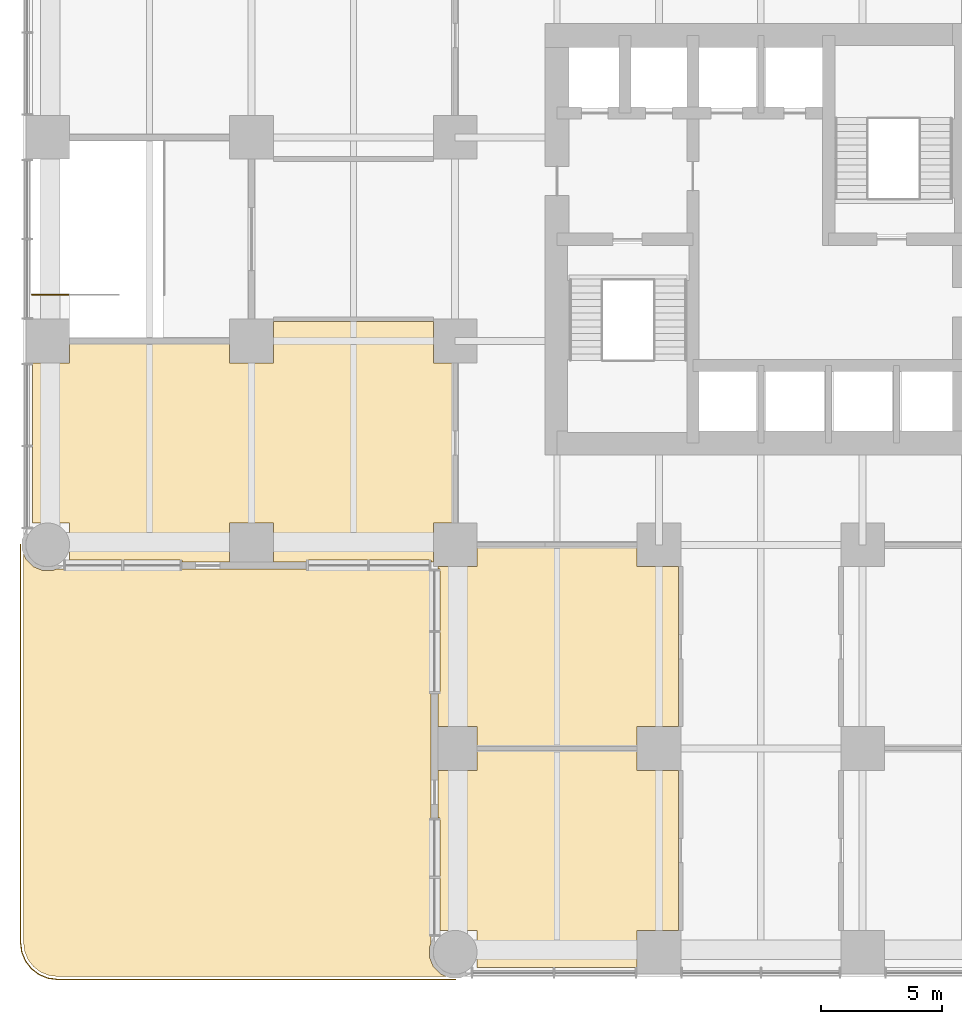
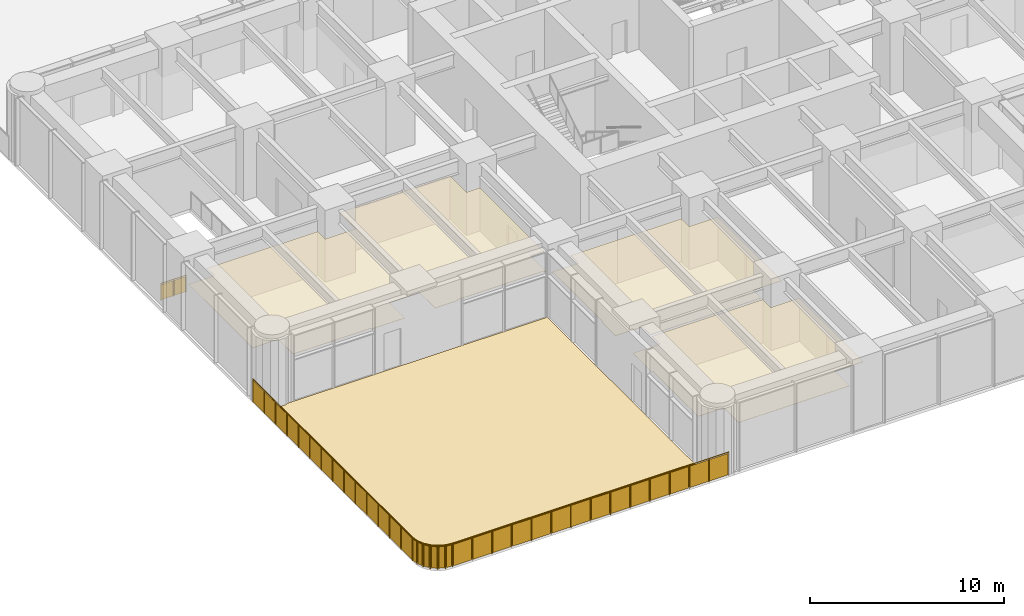
# One storey, part 14 of 21: 4 coverings, 2 railings.
"""IFC4 building model written with IfcOpenShell, lengths in metres."""

from ifc_helpers import new_model, si_unit, direction, frame, origin, origin_2d, place, context, subcontext, project, spatial, polyline, circle, outline, extrude, material, layer, layer_set, constituent, constituent_set, type_object, element, save


model = new_model("IFC4")

# Units and contexts
model_context = context("Model", 3, precision=1e-05, world=origin(), true_north=direction((0.0, 1.0)))
body_context = subcontext(model_context, "Body", "Model", "MODEL_VIEW")
ifc_project = project(units=[si_unit("LENGTHUNIT", "METRE"), si_unit("AREAUNIT", "SQUARE_METRE"), si_unit("VOLUMEUNIT", "CUBIC_METRE"), si_unit("PLANEANGLEUNIT", "RADIAN"), si_unit("MASSUNIT", "GRAM", prefix="KILO")], contexts=[model_context])

# Site, building, storey
site_placement = place(None, origin())
site = spatial("IfcSite", under=ifc_project, at=site_placement, CompositionType="ELEMENT")
building_placement = place(site_placement, origin())
building = spatial("IfcBuilding", under=site, at=building_placement, Name="Torre Alcanfor", CompositionType="ELEMENT")
storey_placement = place(building_placement, frame((0.0, 0.0, 24.0)))
storey = spatial("IfcBuildingStorey", under=building, at=storey_placement, Name="L05", CompositionType="ELEMENT", Elevation=24.0)

# Coverings
ifc_material_1 = material(Name="Mineral fibre acoustic tile 20 mm, NRC 0.70, on exposed suspension grid", Category="mineral fibre")
ifc_layer_1 = layer(ifc_material_1, 0.02001953125)
ifc_layer_set_1 = layer_set([ifc_layer_1], Name="Acoustic suspended ceiling 600x600 mineral fibre tile")
covering_type_1 = type_object("IfcCoveringType", Name="Acoustic suspended ceiling 600x600 mineral fibre tile", PredefinedType="CEILING", material=ifc_layer_set_1)
covering_1_placement = place(storey_placement, frame((0.0, 0.0, 2.699951171875)))
element("IfcCovering", 1, at=covering_1_placement, inside=storey, type_object=covering_type_1, Name="Ceiling L05-01", PredefinedType="CEILING", context=body_context, shape_type="SweptSolid", body=[
    extrude(outline(polyline([(16.175048828125, 0.89990234375), (17.699951171875, 0.89990234375), (17.699951171875, -0.625), (24.300048828125, -0.625), (24.300048828125, 0.89990234375), (26.0, 0.89990234375), (26.0, 7.5), (24.300048828125, 7.5), (24.300048828125, 8.324951171875), (17.699951171875, 8.324951171875), (17.699951171875, 7.5), (16.10009765625, 7.5), (16.10009765625, 5.533203125), (16.175048828125, 5.533203125), (16.175048828125, 0.89990234375)])), origin(), (0.0, 0.0, 1.0), 0.02001953125),
])
covering_2_placement = place(storey_placement, frame((0.0, 0.0, 2.699951171875)))
element("IfcCovering", 2, at=covering_2_placement, inside=storey, type_object=covering_type_1, Name="Ceiling L05-03", PredefinedType="CEILING", context=body_context, shape_type="SweptSolid", body=[
    extrude(outline(polyline([(26.0, 15.89990234375), (24.300048828125, 15.89990234375), (24.300048828125, 16.699951171875), (17.699951171875, 16.699951171875), (17.699951171875, 15.89990234375), (16.10009765625, 15.89990234375), (16.10009765625, 15.800048828125), (16.175048828125, 15.800048828125), (16.175048828125, 10.666748046875), (16.10009765625, 10.666748046875), (16.10009765625, 9.300048828125), (17.699951171875, 9.300048828125), (17.699951171875, 8.47509765625), (24.300048828125, 8.47509765625), (24.300048828125, 9.300048828125), (26.0, 9.300048828125), (26.0, 15.89990234375)])), origin(), (0.0, 0.0, 1.0), 0.02001953125),
])
covering_3_placement = place(storey_placement, frame((0.0, 0.0, 2.699951171875)))
element("IfcCovering", 3, at=covering_3_placement, inside=storey, type_object=covering_type_1, Name="Ceiling L05-05", PredefinedType="CEILING", context=body_context, shape_type="SweptSolid", body=[
    extrude(outline(polyline([(15.800048828125, 16.175048828125), (15.800048828125, 16.10009765625), (15.89990234375, 16.10009765625), (15.89990234375, 17.699951171875), (16.699951171875, 17.699951171875), (16.699951171875, 24.300048828125), (15.89990234375, 24.300048828125), (15.89990234375, 26.0), (9.300048828125, 26.0), (9.300048828125, 24.300048828125), (7.5, 24.300048828125), (7.5, 25.074951171875), (0.89990234375, 25.074951171875), (0.89990234375, 24.300048828125), (-0.625, 24.300048828125), (-0.625, 17.699951171875), (0.89990234375, 17.699951171875), (0.89990234375, 16.175048828125), (5.533203125, 16.175048828125), (5.533203125, 16.10009765625), (7.5, 16.10009765625), (7.5, 17.699951171875), (9.300048828125, 17.699951171875), (9.300048828125, 16.10009765625), (10.666748046875, 16.10009765625), (10.666748046875, 16.175048828125), (15.800048828125, 16.175048828125)])), origin(), (0.0, 0.0, 1.0), 0.02001953125),
])

# Railing
ifc_material_2 = material(Name="Steel ASTM A500 Grade C hollow sections, hot-dip galvanised ASTM A123", Category="steel")
ifc_constituent_1 = constituent(ifc_material_2, Name="Posts and rails")
ifc_material_3 = material(Name="Laminated safety glass", Category="glass")
ifc_constituent_2 = constituent(ifc_material_3, Name="Infill")
ifc_constituent_set = constituent_set(constituents=[ifc_constituent_1, ifc_constituent_2], Name="Play deck guard 1500")
railing_type_1 = type_object("IfcRailingType", Name="Play deck guard 1500", PredefinedType="BALUSTRADE", material=ifc_constituent_set)
railing_1_placement = place(storey_placement, frame((-1.1201171875, 16.82275390625, 0.0)))
element("IfcRailing", 4, at=railing_1_placement, inside=storey, type_object=railing_type_1, Name="Play deck guard L05 1", PredefinedType="BALUSTRADE", context=body_context, shape_type="SweptSolid", body=[
    extrude(circle(Radius=0.02392578125, at=origin_2d()), frame((0.0, 0.0, 1.47607421875), z_axis=(0.0, -1.0, 0.0), x_axis=(1.0, 0.0, 0.0)), (0.0, 0.0, 1.0), 16.4228515625),
    extrude(circle(Radius=0.02392578125, at=origin_2d()), frame((0.0, -16.4228515625, 1.47607421875), z_axis=(0.077887667293, -0.996962141349, 0.0), x_axis=(0.996962141349, 0.077887667293, 0.0)), (0.0, 0.0, 1.0), 0.015625),
    extrude(circle(Radius=0.02392578125, at=origin_2d()), frame((0.001220703125, -16.4384765625, 1.47607421875), z_axis=(0.130281684003, -0.99147702082, 0.0), x_axis=(0.99147702082, 0.130281684003, 0.0)), (0.0, 0.0, 1.0), 0.365478515625),
    extrude(circle(Radius=0.02392578125, at=origin_2d()), frame((0.048828125, -16.80078125, 1.47607421875), z_axis=(0.18711210789, -0.982338566422, 0.0), x_axis=(0.982338566422, 0.18711210789, 0.0)), (0.0, 0.0, 1.0), 0.010498046875),
    extrude(circle(Radius=0.02392578125, at=origin_2d()), frame((0.05078125, -16.81103515625, 1.47607421875), z_axis=(0.259128566087, -0.965842837235, 0.0), x_axis=(0.965842837235, 0.259128566087, 0.0)), (0.0, 0.0, 1.0), 0.01025390625),
    extrude(circle(Radius=0.02392578125, at=origin_2d()), frame((0.053466796875, -16.821044921875, 1.47607421875), z_axis=(0.323143853292, -0.946349856068, 0.0), x_axis=(0.946349856068, 0.323143853292, 0.0)), (0.0, 0.0, 1.0), 0.010498046875),
    extrude(circle(Radius=0.02392578125, at=origin_2d()), frame((0.056884765625, -16.8310546875, 1.47607421875), z_axis=(0.382764762462, -0.923845840288, 0.0), x_axis=(0.923845840288, 0.382764762462, 0.0)), (0.0, 0.0, 1.0), 0.365478515625),
    extrude(circle(Radius=0.02392578125, at=origin_2d()), frame((0.19677734375, -17.168701171875, 1.47607421875), z_axis=(0.419058177462, -0.9079593845, 0.0), x_axis=(0.9079593845, 0.419058177462, 0.0)), (0.0, 0.0, 1.0), 0.010498046875),
    extrude(circle(Radius=0.02392578125, at=origin_2d()), frame((0.201171875, -17.17822265625, 1.47607421875), z_axis=(0.511075392877, -0.859535888021, 0.0), x_axis=(0.859535888021, 0.511075392877, 0.0)), (0.0, 0.0, 1.0), 0.010498046875),
    extrude(circle(Radius=0.02392578125, at=origin_2d()), frame((0.20654296875, -17.187255859375, 1.47607421875), z_axis=(0.565528355552, -0.824728851846, 0.0), x_axis=(0.824728851846, 0.565528355552, 0.0)), (0.0, 0.0, 1.0), 0.01025390625),
    extrude(circle(Radius=0.02392578125, at=origin_2d()), frame((0.21240234375, -17.19580078125, 1.47607421875), z_axis=(0.609258674669, -0.792971542579, 0.0), x_axis=(0.792971542579, 0.609258674669, 0.0)), (0.0, 0.0, 1.0), 0.365478515625),
    extrude(circle(Radius=0.02392578125, at=origin_2d()), frame((0.43505859375, -17.485595703125, 1.47607421875), z_axis=(0.633237790257, -0.773957299203, 0.0), x_axis=(0.773957299203, 0.633237790257, 0.0)), (0.0, 0.0, 1.0), 0.010498046875),
    extrude(circle(Radius=0.02392578125, at=origin_2d()), frame((0.441650390625, -17.49365234375, 1.47607421875), z_axis=(0.707106781187, -0.707106781187, 0.0), x_axis=(0.707106781187, 0.707106781187, 0.0)), (0.0, 0.0, 1.0), 0.0107421875),
    extrude(circle(Radius=0.02392578125, at=origin_2d()), frame((0.44921875, -17.501220703125, 1.47607421875), z_axis=(0.773957299203, -0.633237790257, 0.0), x_axis=(0.633237790257, 0.773957299203, 0.0)), (0.0, 0.0, 1.0), 0.010498046875),
    extrude(circle(Radius=0.02392578125, at=origin_2d()), frame((0.457275390625, -17.5078125, 1.47607421875), z_axis=(0.792971542579, -0.609258674669, 0.0), x_axis=(0.609258674669, 0.792971542579, 0.0)), (0.0, 0.0, 1.0), 0.365478515625),
    extrude(circle(Radius=0.02392578125, at=origin_2d()), frame((0.7470703125, -17.73046875, 1.47607421875), z_axis=(0.824728851846, -0.565528355552, 0.0), x_axis=(0.565528355552, 0.824728851846, 0.0)), (0.0, 0.0, 1.0), 0.01025390625),
    extrude(circle(Radius=0.02392578125, at=origin_2d()), frame((0.755615234375, -17.736328125, 1.47607421875), z_axis=(0.859535888021, -0.511075392877, 0.0), x_axis=(0.511075392877, 0.859535888021, 0.0)), (0.0, 0.0, 1.0), 0.010498046875),
    extrude(circle(Radius=0.02392578125, at=origin_2d()), frame((0.7646484375, -17.74169921875, 1.47607421875), z_axis=(0.9079593845, -0.419058177462, 0.0), x_axis=(0.419058177462, 0.9079593845, 0.0)), (0.0, 0.0, 1.0), 0.010498046875),
    extrude(circle(Radius=0.02392578125, at=origin_2d()), frame((0.774169921875, -17.74609375, 1.47607421875), z_axis=(0.923845840288, -0.382764762462, 0.0), x_axis=(0.382764762462, 0.923845840288, 0.0)), (0.0, 0.0, 1.0), 0.365478515625),
    extrude(circle(Radius=0.02392578125, at=origin_2d()), frame((1.11181640625, -17.885986328125, 1.47607421875), z_axis=(0.946349856068, -0.323143853292, 0.0), x_axis=(0.323143853292, 0.946349856068, 0.0)), (0.0, 0.0, 1.0), 0.010498046875),
    extrude(circle(Radius=0.02392578125, at=origin_2d()), frame((1.121826171875, -17.889404296875, 1.47607421875), z_axis=(0.965842837235, -0.259128566087, 0.0), x_axis=(0.259128566087, 0.965842837235, 0.0)), (0.0, 0.0, 1.0), 0.01025390625),
    extrude(circle(Radius=0.02392578125, at=origin_2d()), frame((1.1318359375, -17.89208984375, 1.47607421875), z_axis=(0.982338566422, -0.18711210789, 0.0), x_axis=(0.18711210789, 0.982338566422, 0.0)), (0.0, 0.0, 1.0), 0.010498046875),
    extrude(circle(Radius=0.02392578125, at=origin_2d()), frame((1.14208984375, -17.89404296875, 1.47607421875), z_axis=(0.99147702082, -0.130281684003, 0.0), x_axis=(0.130281684003, 0.99147702082, 0.0)), (0.0, 0.0, 1.0), 0.365478515625),
    extrude(circle(Radius=0.02392578125, at=origin_2d()), frame((1.50439453125, -17.941650390625, 1.47607421875), z_axis=(0.996962141349, -0.077887667293, 0.0), x_axis=(0.077887667293, 0.996962141349, 0.0)), (0.0, 0.0, 1.0), 0.015625),
    extrude(circle(Radius=0.02392578125, at=origin_2d()), frame((1.52001953125, -17.94287109375, 1.47607421875), z_axis=(1.0, 0.0, 0.0), x_axis=(0.0, 1.0, 0.0)), (0.0, 0.0, 1.0), 16.4228515625),
    extrude(circle(Radius=0.02099609375, at=origin_2d()), origin(), (0.0, 0.0, 1.0), 1.451904296875),
    extrude(circle(Radius=0.02099609375, at=origin_2d()), frame((0.0, -1.173095703125, 0.0)), (0.0, 0.0, 1.0), 1.451904296875),
    extrude(circle(Radius=0.02099609375, at=origin_2d()), frame((0.0, -2.34619140625, 0.0)), (0.0, 0.0, 1.0), 1.451904296875),
    extrude(circle(Radius=0.02099609375, at=origin_2d()), frame((0.0, -3.519287109375, 0.0)), (0.0, 0.0, 1.0), 1.451904296875),
    extrude(circle(Radius=0.02099609375, at=origin_2d()), frame((0.0, -4.692138671875, 0.0)), (0.0, 0.0, 1.0), 1.451904296875),
    extrude(circle(Radius=0.02099609375, at=origin_2d()), frame((0.0, -5.865234375, 0.0)), (0.0, 0.0, 1.0), 1.451904296875),
    extrude(circle(Radius=0.02099609375, at=origin_2d()), frame((0.0, -7.038330078125, 0.0)), (0.0, 0.0, 1.0), 1.451904296875),
    extrude(circle(Radius=0.02099609375, at=origin_2d()), frame((0.0, -8.21142578125, 0.0)), (0.0, 0.0, 1.0), 1.451904296875),
    extrude(circle(Radius=0.02099609375, at=origin_2d()), frame((0.0, -9.384521484375, 0.0)), (0.0, 0.0, 1.0), 1.451904296875),
    extrude(circle(Radius=0.02099609375, at=origin_2d()), frame((0.0, -10.5576171875, 0.0)), (0.0, 0.0, 1.0), 1.451904296875),
    extrude(circle(Radius=0.02099609375, at=origin_2d()), frame((0.0, -11.730712890625, 0.0)), (0.0, 0.0, 1.0), 1.451904296875),
    extrude(circle(Radius=0.02099609375, at=origin_2d()), frame((0.0, -12.903564453125, 0.0)), (0.0, 0.0, 1.0), 1.451904296875),
    extrude(circle(Radius=0.02099609375, at=origin_2d()), frame((0.0, -14.07666015625, 0.0)), (0.0, 0.0, 1.0), 1.451904296875),
    extrude(circle(Radius=0.02099609375, at=origin_2d()), frame((0.0, -15.249755859375, 0.0)), (0.0, 0.0, 1.0), 1.451904296875),
    extrude(circle(Radius=0.02099609375, at=origin_2d()), frame((0.0, -16.4228515625, 0.0)), (0.0, 0.0, 1.0), 1.451904296875),
    extrude(circle(Radius=0.02099609375, at=origin_2d()), frame((0.001220703125, -16.4384765625, 0.0)), (0.0, 0.0, 1.0), 1.451904296875),
    extrude(circle(Radius=0.02099609375, at=origin_2d()), frame((0.048828125, -16.80078125, 0.0)), (0.0, 0.0, 1.0), 1.451904296875),
    extrude(circle(Radius=0.02099609375, at=origin_2d()), frame((0.05078125, -16.81103515625, 0.0)), (0.0, 0.0, 1.0), 1.451904296875),
    extrude(circle(Radius=0.02099609375, at=origin_2d()), frame((0.053466796875, -16.821044921875, 0.0)), (0.0, 0.0, 1.0), 1.451904296875),
    extrude(circle(Radius=0.02099609375, at=origin_2d()), frame((0.056884765625, -16.8310546875, 0.0)), (0.0, 0.0, 1.0), 1.451904296875),
    extrude(circle(Radius=0.02099609375, at=origin_2d()), frame((0.19677734375, -17.168701171875, 0.0)), (0.0, 0.0, 1.0), 1.451904296875),
    extrude(circle(Radius=0.02099609375, at=origin_2d()), frame((0.201171875, -17.17822265625, 0.0)), (0.0, 0.0, 1.0), 1.451904296875),
    extrude(circle(Radius=0.02099609375, at=origin_2d()), frame((0.20654296875, -17.187255859375, 0.0)), (0.0, 0.0, 1.0), 1.451904296875),
    extrude(circle(Radius=0.02099609375, at=origin_2d()), frame((0.21240234375, -17.19580078125, 0.0)), (0.0, 0.0, 1.0), 1.451904296875),
    extrude(circle(Radius=0.02099609375, at=origin_2d()), frame((0.43505859375, -17.485595703125, 0.0)), (0.0, 0.0, 1.0), 1.451904296875),
    extrude(circle(Radius=0.02099609375, at=origin_2d()), frame((0.441650390625, -17.49365234375, 0.0)), (0.0, 0.0, 1.0), 1.451904296875),
    extrude(circle(Radius=0.02099609375, at=origin_2d()), frame((0.44921875, -17.501220703125, 0.0)), (0.0, 0.0, 1.0), 1.451904296875),
    extrude(circle(Radius=0.02099609375, at=origin_2d()), frame((0.457275390625, -17.5078125, 0.0)), (0.0, 0.0, 1.0), 1.451904296875),
    extrude(circle(Radius=0.02099609375, at=origin_2d()), frame((0.7470703125, -17.73046875, 0.0)), (0.0, 0.0, 1.0), 1.451904296875),
    extrude(circle(Radius=0.02099609375, at=origin_2d()), frame((0.755615234375, -17.736328125, 0.0)), (0.0, 0.0, 1.0), 1.451904296875),
    extrude(circle(Radius=0.02099609375, at=origin_2d()), frame((0.7646484375, -17.74169921875, 0.0)), (0.0, 0.0, 1.0), 1.451904296875),
    extrude(circle(Radius=0.02099609375, at=origin_2d()), frame((0.774169921875, -17.74609375, 0.0)), (0.0, 0.0, 1.0), 1.451904296875),
    extrude(circle(Radius=0.02099609375, at=origin_2d()), frame((1.11181640625, -17.885986328125, 0.0)), (0.0, 0.0, 1.0), 1.451904296875),
    extrude(circle(Radius=0.02099609375, at=origin_2d()), frame((1.121826171875, -17.889404296875, 0.0)), (0.0, 0.0, 1.0), 1.451904296875),
    extrude(circle(Radius=0.02099609375, at=origin_2d()), frame((1.1318359375, -17.89208984375, 0.0)), (0.0, 0.0, 1.0), 1.451904296875),
    extrude(circle(Radius=0.02099609375, at=origin_2d()), frame((1.14208984375, -17.89404296875, 0.0)), (0.0, 0.0, 1.0), 1.451904296875),
    extrude(circle(Radius=0.02099609375, at=origin_2d()), frame((1.50439453125, -17.941650390625, 0.0)), (0.0, 0.0, 1.0), 1.451904296875),
    extrude(circle(Radius=0.02099609375, at=origin_2d()), frame((1.52001953125, -17.94287109375, 0.0)), (0.0, 0.0, 1.0), 1.451904296875),
    extrude(circle(Radius=0.02099609375, at=origin_2d()), frame((2.693115234375, -17.94287109375, 0.0)), (0.0, 0.0, 1.0), 1.451904296875),
    extrude(circle(Radius=0.02099609375, at=origin_2d()), frame((3.8662109375, -17.94287109375, 0.0)), (0.0, 0.0, 1.0), 1.451904296875),
    extrude(circle(Radius=0.02099609375, at=origin_2d()), frame((5.039306640625, -17.94287109375, 0.0)), (0.0, 0.0, 1.0), 1.451904296875),
    extrude(circle(Radius=0.02099609375, at=origin_2d()), frame((6.212158203125, -17.94287109375, 0.0)), (0.0, 0.0, 1.0), 1.451904296875),
    extrude(circle(Radius=0.02099609375, at=origin_2d()), frame((7.38525390625, -17.94287109375, 0.0)), (0.0, 0.0, 1.0), 1.451904296875),
    extrude(circle(Radius=0.02099609375, at=origin_2d()), frame((8.558349609375, -17.94287109375, 0.0)), (0.0, 0.0, 1.0), 1.451904296875),
    extrude(circle(Radius=0.02099609375, at=origin_2d()), frame((9.7314453125, -17.94287109375, 0.0)), (0.0, 0.0, 1.0), 1.451904296875),
    extrude(circle(Radius=0.02099609375, at=origin_2d()), frame((10.904541015625, -17.94287109375, 0.0)), (0.0, 0.0, 1.0), 1.451904296875),
    extrude(circle(Radius=0.02099609375, at=origin_2d()), frame((12.07763671875, -17.94287109375, 0.0)), (0.0, 0.0, 1.0), 1.451904296875),
    extrude(circle(Radius=0.02099609375, at=origin_2d()), frame((13.250732421875, -17.94287109375, 0.0)), (0.0, 0.0, 1.0), 1.451904296875),
    extrude(circle(Radius=0.02099609375, at=origin_2d()), frame((14.423583984375, -17.94287109375, 0.0)), (0.0, 0.0, 1.0), 1.451904296875),
    extrude(circle(Radius=0.02099609375, at=origin_2d()), frame((15.5966796875, -17.94287109375, 0.0)), (0.0, 0.0, 1.0), 1.451904296875),
    extrude(circle(Radius=0.02099609375, at=origin_2d()), frame((16.769775390625, -17.94287109375, 0.0)), (0.0, 0.0, 1.0), 1.451904296875),
    extrude(circle(Radius=0.02099609375, at=origin_2d()), frame((17.94287109375, -17.94287109375, 0.0)), (0.0, 0.0, 1.0), 1.451904296875),
    extrude(outline(polyline([(0.041015625, 0.050048828125), (1.132080078125, 0.050048828125), (1.132080078125, 1.402099609375), (0.041015625, 1.402099609375), (0.041015625, 0.050048828125)])), frame((0.001953125, 0.0, 0.0), z_axis=(-1.0, 0.0, 0.0), x_axis=(0.0, -1.0, 0.0)), (0.0, 0.0, 1.0), 0.00390625),
    extrude(outline(polyline([(1.214111328125, 0.050048828125), (2.30517578125, 0.050048828125), (2.30517578125, 1.402099609375), (1.214111328125, 1.402099609375), (1.214111328125, 0.050048828125)])), frame((0.001953125, 0.0, 0.0), z_axis=(-1.0, 0.0, 0.0), x_axis=(0.0, -1.0, 0.0)), (0.0, 0.0, 1.0), 0.00390625),
    extrude(outline(polyline([(2.38720703125, 0.050048828125), (3.478271484375, 0.050048828125), (3.478271484375, 1.402099609375), (2.38720703125, 1.402099609375), (2.38720703125, 0.050048828125)])), frame((0.001953125, 0.0, 0.0), z_axis=(-1.0, 0.0, 0.0), x_axis=(0.0, -1.0, 0.0)), (0.0, 0.0, 1.0), 0.00390625),
    extrude(outline(polyline([(3.560302734375, 0.050048828125), (4.651123046875, 0.050048828125), (4.651123046875, 1.402099609375), (3.560302734375, 1.402099609375), (3.560302734375, 0.050048828125)])), frame((0.001953125, 0.0, 0.0), z_axis=(-1.0, 0.0, 0.0), x_axis=(0.0, -1.0, 0.0)), (0.0, 0.0, 1.0), 0.00390625),
    extrude(outline(polyline([(4.733154296875, 0.050048828125), (5.82421875, 0.050048828125), (5.82421875, 1.402099609375), (4.733154296875, 1.402099609375), (4.733154296875, 0.050048828125)])), frame((0.001953125, 0.0, 0.0), z_axis=(-1.0, 0.0, 0.0), x_axis=(0.0, -1.0, 0.0)), (0.0, 0.0, 1.0), 0.00390625),
    extrude(outline(polyline([(5.90625, 0.050048828125), (6.997314453125, 0.050048828125), (6.997314453125, 1.402099609375), (5.90625, 1.402099609375), (5.90625, 0.050048828125)])), frame((0.001953125, 0.0, 0.0), z_axis=(-1.0, 0.0, 0.0), x_axis=(0.0, -1.0, 0.0)), (0.0, 0.0, 1.0), 0.00390625),
    extrude(outline(polyline([(7.079345703125, 0.050048828125), (8.17041015625, 0.050048828125), (8.17041015625, 1.402099609375), (7.079345703125, 1.402099609375), (7.079345703125, 0.050048828125)])), frame((0.001953125, 0.0, 0.0), z_axis=(-1.0, 0.0, 0.0), x_axis=(0.0, -1.0, 0.0)), (0.0, 0.0, 1.0), 0.00390625),
    extrude(outline(polyline([(8.25244140625, 0.050048828125), (9.343505859375, 0.050048828125), (9.343505859375, 1.402099609375), (8.25244140625, 1.402099609375), (8.25244140625, 0.050048828125)])), frame((0.001953125, 0.0, 0.0), z_axis=(-1.0, 0.0, 0.0), x_axis=(0.0, -1.0, 0.0)), (0.0, 0.0, 1.0), 0.00390625),
    extrude(outline(polyline([(9.425537109375, 0.050048828125), (10.5166015625, 0.050048828125), (10.5166015625, 1.402099609375), (9.425537109375, 1.402099609375), (9.425537109375, 0.050048828125)])), frame((0.001953125, 0.0, 0.0), z_axis=(-1.0, 0.0, 0.0), x_axis=(0.0, -1.0, 0.0)), (0.0, 0.0, 1.0), 0.00390625),
    extrude(outline(polyline([(10.5986328125, 0.050048828125), (11.689697265625, 0.050048828125), (11.689697265625, 1.402099609375), (10.5986328125, 1.402099609375), (10.5986328125, 0.050048828125)])), frame((0.001953125, 0.0, 0.0), z_axis=(-1.0, 0.0, 0.0), x_axis=(0.0, -1.0, 0.0)), (0.0, 0.0, 1.0), 0.00390625),
    extrude(outline(polyline([(11.771728515625, 0.050048828125), (12.862548828125, 0.050048828125), (12.862548828125, 1.402099609375), (11.771728515625, 1.402099609375), (11.771728515625, 0.050048828125)])), frame((0.001953125, 0.0, 0.0), z_axis=(-1.0, 0.0, 0.0), x_axis=(0.0, -1.0, 0.0)), (0.0, 0.0, 1.0), 0.00390625),
    extrude(outline(polyline([(12.944580078125, 0.050048828125), (14.03564453125, 0.050048828125), (14.03564453125, 1.402099609375), (12.944580078125, 1.402099609375), (12.944580078125, 0.050048828125)])), frame((0.001953125, 0.0, 0.0), z_axis=(-1.0, 0.0, 0.0), x_axis=(0.0, -1.0, 0.0)), (0.0, 0.0, 1.0), 0.00390625),
    extrude(outline(polyline([(14.11767578125, 0.050048828125), (15.208740234375, 0.050048828125), (15.208740234375, 1.402099609375), (14.11767578125, 1.402099609375), (14.11767578125, 0.050048828125)])), frame((0.001953125, 0.0, 0.0), z_axis=(-1.0, 0.0, 0.0), x_axis=(0.0, -1.0, 0.0)), (0.0, 0.0, 1.0), 0.00390625),
    extrude(outline(polyline([(15.290771484375, 0.050048828125), (16.3818359375, 0.050048828125), (16.3818359375, 1.402099609375), (15.290771484375, 1.402099609375), (15.290771484375, 0.050048828125)])), frame((0.001953125, 0.0, 0.0), z_axis=(-1.0, 0.0, 0.0), x_axis=(0.0, -1.0, 0.0)), (0.0, 0.0, 1.0), 0.00390625),
    extrude(outline(polyline([(0.041015625, 0.050048828125), (0.324462890625, 0.050048828125), (0.324462890625, 1.402099609375), (0.041015625, 1.402099609375), (0.041015625, 0.050048828125)])), frame((0.003173828125, -16.438232421875, 0.0), z_axis=(-0.99147702082, -0.130281684003, 0.0), x_axis=(0.130281684003, -0.99147702082, 0.0)), (0.0, 0.0, 1.0), 0.00390625),
    extrude(outline(polyline([(0.041015625, 0.050048828125), (0.324462890625, 0.050048828125), (0.324462890625, 1.402099609375), (0.041015625, 1.402099609375), (0.041015625, 0.050048828125)])), frame((0.05859375, -16.830322265625, 0.0), z_axis=(-0.923845840288, -0.382764762462, 0.0), x_axis=(0.382764762462, -0.923845840288, 0.0)), (0.0, 0.0, 1.0), 0.00390625),
    extrude(outline(polyline([(0.041015625, 0.050048828125), (0.324462890625, 0.050048828125), (0.324462890625, 1.402099609375), (0.041015625, 1.402099609375), (0.041015625, 0.050048828125)])), frame((0.2138671875, -17.194580078125, 0.0), z_axis=(-0.792971542579, -0.609258674669, 0.0), x_axis=(0.609258674669, -0.792971542579, 0.0)), (0.0, 0.0, 1.0), 0.00390625),
    extrude(outline(polyline([(0.041015625, 0.050048828125), (0.324462890625, 0.050048828125), (0.324462890625, 1.402099609375), (0.041015625, 1.402099609375), (0.041015625, 0.050048828125)])), frame((0.45849609375, -17.50634765625, 0.0), z_axis=(-0.609258674669, -0.792971542579, 0.0), x_axis=(0.792971542579, -0.609258674669, 0.0)), (0.0, 0.0, 1.0), 0.00390625),
    extrude(outline(polyline([(0.041015625, 0.050048828125), (0.324462890625, 0.050048828125), (0.324462890625, 1.402099609375), (0.041015625, 1.402099609375), (0.041015625, 0.050048828125)])), frame((0.77490234375, -17.744384765625, 0.0), z_axis=(-0.382764762462, -0.923845840288, 0.0), x_axis=(0.923845840288, -0.382764762462, 0.0)), (0.0, 0.0, 1.0), 0.00390625),
    extrude(outline(polyline([(0.041015625, 0.050048828125), (0.324462890625, 0.050048828125), (0.324462890625, 1.402099609375), (0.041015625, 1.402099609375), (0.041015625, 0.050048828125)])), frame((1.142333984375, -17.89208984375, 0.0), z_axis=(-0.130281684003, -0.99147702082, 0.0), x_axis=(0.99147702082, -0.130281684003, 0.0)), (0.0, 0.0, 1.0), 0.00390625),
    extrude(outline(polyline([(0.041015625, 0.050048828125), (1.132080078125, 0.050048828125), (1.132080078125, 1.402099609375), (0.041015625, 1.402099609375), (0.041015625, 0.050048828125)])), frame((1.52001953125, -17.94091796875, 0.0), z_axis=(0.0, -1.0, 0.0), x_axis=(1.0, 0.0, 0.0)), (0.0, 0.0, 1.0), 0.00390625),
    extrude(outline(polyline([(1.214111328125, 0.050048828125), (2.30517578125, 0.050048828125), (2.30517578125, 1.402099609375), (1.214111328125, 1.402099609375), (1.214111328125, 0.050048828125)])), frame((1.52001953125, -17.94091796875, 0.0), z_axis=(0.0, -1.0, 0.0), x_axis=(1.0, 0.0, 0.0)), (0.0, 0.0, 1.0), 0.00390625),
    extrude(outline(polyline([(2.38720703125, 0.050048828125), (3.478271484375, 0.050048828125), (3.478271484375, 1.402099609375), (2.38720703125, 1.402099609375), (2.38720703125, 0.050048828125)])), frame((1.52001953125, -17.94091796875, 0.0), z_axis=(0.0, -1.0, 0.0), x_axis=(1.0, 0.0, 0.0)), (0.0, 0.0, 1.0), 0.00390625),
    extrude(outline(polyline([(3.560302734375, 0.050048828125), (4.651123046875, 0.050048828125), (4.651123046875, 1.402099609375), (3.560302734375, 1.402099609375), (3.560302734375, 0.050048828125)])), frame((1.52001953125, -17.94091796875, 0.0), z_axis=(0.0, -1.0, 0.0), x_axis=(1.0, 0.0, 0.0)), (0.0, 0.0, 1.0), 0.00390625),
    extrude(outline(polyline([(4.733154296875, 0.050048828125), (5.82421875, 0.050048828125), (5.82421875, 1.402099609375), (4.733154296875, 1.402099609375), (4.733154296875, 0.050048828125)])), frame((1.52001953125, -17.94091796875, 0.0), z_axis=(0.0, -1.0, 0.0), x_axis=(1.0, 0.0, 0.0)), (0.0, 0.0, 1.0), 0.00390625),
    extrude(outline(polyline([(5.90625, 0.050048828125), (6.997314453125, 0.050048828125), (6.997314453125, 1.402099609375), (5.90625, 1.402099609375), (5.90625, 0.050048828125)])), frame((1.52001953125, -17.94091796875, 0.0), z_axis=(0.0, -1.0, 0.0), x_axis=(1.0, 0.0, 0.0)), (0.0, 0.0, 1.0), 0.00390625),
    extrude(outline(polyline([(7.079345703125, 0.050048828125), (8.17041015625, 0.050048828125), (8.17041015625, 1.402099609375), (7.079345703125, 1.402099609375), (7.079345703125, 0.050048828125)])), frame((1.52001953125, -17.94091796875, 0.0), z_axis=(0.0, -1.0, 0.0), x_axis=(1.0, 0.0, 0.0)), (0.0, 0.0, 1.0), 0.00390625),
    extrude(outline(polyline([(8.25244140625, 0.050048828125), (9.343505859375, 0.050048828125), (9.343505859375, 1.402099609375), (8.25244140625, 1.402099609375), (8.25244140625, 0.050048828125)])), frame((1.52001953125, -17.94091796875, 0.0), z_axis=(0.0, -1.0, 0.0), x_axis=(1.0, 0.0, 0.0)), (0.0, 0.0, 1.0), 0.00390625),
    extrude(outline(polyline([(9.425537109375, 0.050048828125), (10.5166015625, 0.050048828125), (10.5166015625, 1.402099609375), (9.425537109375, 1.402099609375), (9.425537109375, 0.050048828125)])), frame((1.52001953125, -17.94091796875, 0.0), z_axis=(0.0, -1.0, 0.0), x_axis=(1.0, 0.0, 0.0)), (0.0, 0.0, 1.0), 0.00390625),
    extrude(outline(polyline([(10.5986328125, 0.050048828125), (11.689697265625, 0.050048828125), (11.689697265625, 1.402099609375), (10.5986328125, 1.402099609375), (10.5986328125, 0.050048828125)])), frame((1.52001953125, -17.94091796875, 0.0), z_axis=(0.0, -1.0, 0.0), x_axis=(1.0, 0.0, 0.0)), (0.0, 0.0, 1.0), 0.00390625),
    extrude(outline(polyline([(11.771728515625, 0.050048828125), (12.862548828125, 0.050048828125), (12.862548828125, 1.402099609375), (11.771728515625, 1.402099609375), (11.771728515625, 0.050048828125)])), frame((1.52001953125, -17.94091796875, 0.0), z_axis=(0.0, -1.0, 0.0), x_axis=(1.0, 0.0, 0.0)), (0.0, 0.0, 1.0), 0.00390625),
    extrude(outline(polyline([(12.944580078125, 0.050048828125), (14.03564453125, 0.050048828125), (14.03564453125, 1.402099609375), (12.944580078125, 1.402099609375), (12.944580078125, 0.050048828125)])), frame((1.52001953125, -17.94091796875, 0.0), z_axis=(0.0, -1.0, 0.0), x_axis=(1.0, 0.0, 0.0)), (0.0, 0.0, 1.0), 0.00390625),
    extrude(outline(polyline([(14.11767578125, 0.050048828125), (15.208740234375, 0.050048828125), (15.208740234375, 1.402099609375), (14.11767578125, 1.402099609375), (14.11767578125, 0.050048828125)])), frame((1.52001953125, -17.94091796875, 0.0), z_axis=(0.0, -1.0, 0.0), x_axis=(1.0, 0.0, 0.0)), (0.0, 0.0, 1.0), 0.00390625),
    extrude(outline(polyline([(15.290771484375, 0.050048828125), (16.3818359375, 0.050048828125), (16.3818359375, 1.402099609375), (15.290771484375, 1.402099609375), (15.290771484375, 0.050048828125)])), frame((1.52001953125, -17.94091796875, 0.0), z_axis=(0.0, -1.0, 0.0), x_axis=(1.0, 0.0, 0.0)), (0.0, 0.0, 1.0), 0.00390625),
])

# Covering
ifc_material_4 = material(Name="Rubber safety surfacing on screed", Category="masonry")
ifc_layer_2 = layer(ifc_material_4, 0.050048828125)
ifc_layer_set_2 = layer_set([ifc_layer_2], Name="Play deck rubber surface 50")
covering_type_2 = type_object("IfcCoveringType", Name="Play deck rubber surface 50", PredefinedType="FLOORING", material=ifc_layer_set_2)
covering_4_placement = place(storey_placement, origin())
element("IfcCovering", 5, at=covering_4_placement, inside=storey, type_object=covering_type_2, Name="Play deck surface L05 1", PredefinedType="FLOORING", context=body_context, shape_type="SweptSolid", body=[
    extrude(outline(polyline([(15.800048828125, 15.800048828125), (15.800048828125, 0.39990234375), (15.804443359375, 0.366455078125), (15.739990234375, 0.210693359375), (15.739990234375, -0.210693359375), (15.9013671875, -0.600341796875), (16.19970703125, -0.898681640625), (16.4443359375, -1.0), (0.39990234375, -1.0), (0.03759765625, -0.952392578125), (-0.300048828125, -0.8125), (-0.58984375, -0.58984375), (-0.8125, -0.300048828125), (-0.952392578125, 0.03759765625), (-1.0, 0.39990234375), (-1.0, 16.4443359375), (-0.898681640625, 16.19970703125), (-0.600341796875, 15.9013671875), (-0.210693359375, 15.739990234375), (0.210693359375, 15.739990234375), (0.366455078125, 15.804443359375), (0.39990234375, 15.800048828125), (15.800048828125, 15.800048828125)])), origin(), (0.0, 0.0, 1.0), 0.050048828125),
])

# Railing
ifc_material_5 = material(Name="Steel ASTM A500 Grade C hollow sections", Category="steel")
railing_type_2 = type_object("IfcRailingType", Name="Stair guard and handrail 1100", PredefinedType="GUARDRAIL", material=ifc_material_5)
railing_2_placement = place(storey_placement, frame((-0.64990234375, 27.10498046875, 0.0)))
element("IfcRailing", 6, at=railing_2_placement, inside=storey, type_object=railing_type_2, Name="Stair well guard SS1 L05 facade strip", PredefinedType="GUARDRAIL", context=body_context, shape_type="SweptSolid", body=[
    extrude(circle(Radius=0.02392578125, at=origin_2d()), frame((0.0, 0.0, 1.076171875), z_axis=(1.0, 0.0, 0.0), x_axis=(0.0, 1.0, 0.0)), (0.0, 0.0, 1.0), 1.5),
    extrude(circle(Radius=0.02099609375, at=origin_2d()), origin(), (0.0, 0.0, 1.0), 1.052001953125),
    extrude(circle(Radius=0.02099609375, at=origin_2d()), frame((0.75, 0.0, 0.0)), (0.0, 0.0, 1.0), 1.052001953125),
    extrude(circle(Radius=0.02099609375, at=origin_2d()), frame((1.5, 0.0, 0.0)), (0.0, 0.0, 1.0), 1.052001953125),
    extrude(outline(polyline([(0.041015625, 0.050048828125), (0.708984375, 0.050048828125), (0.708984375, 1.001953125), (0.041015625, 1.001953125), (0.041015625, 0.050048828125)])), frame((0.0, 0.005859375, 0.0), z_axis=(0.0, -1.0, 0.0), x_axis=(1.0, 0.0, 0.0)), (0.0, 0.0, 1.0), 0.011962890625),
    extrude(outline(polyline([(0.791015625, 0.050048828125), (1.458984375, 0.050048828125), (1.458984375, 1.001953125), (0.791015625, 1.001953125), (0.791015625, 0.050048828125)])), frame((0.0, 0.005859375, 0.0), z_axis=(0.0, -1.0, 0.0), x_axis=(1.0, 0.0, 0.0)), (0.0, 0.0, 1.0), 0.011962890625),
])

save(model, "model.ifc")
